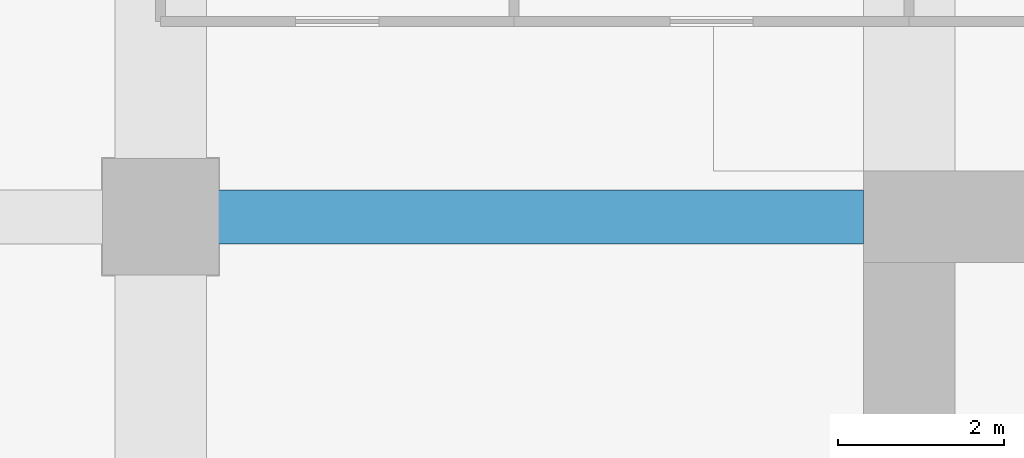
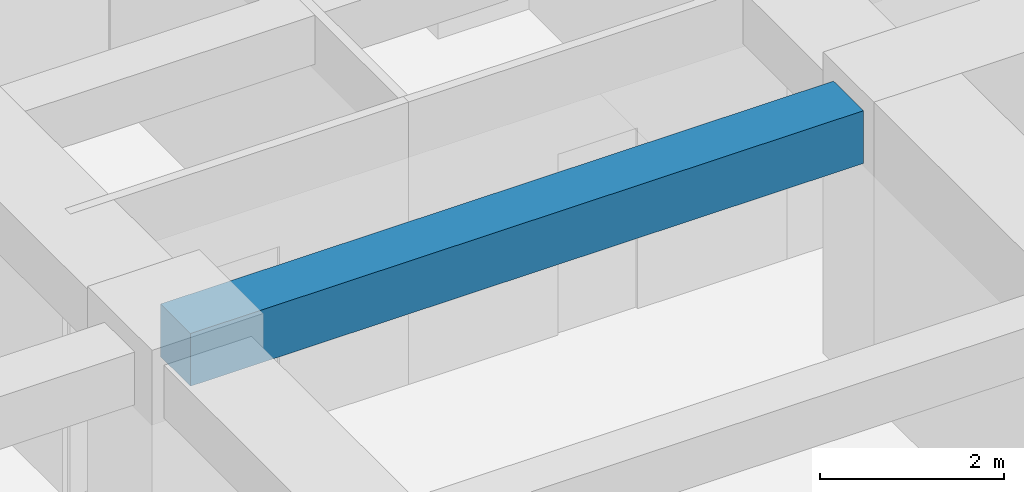
# One storey, part 21 of 33: 1 beam.
"""IFC4 building model written with IfcOpenShell, lengths in metres."""

from ifc_helpers import new_model, si_unit, direction, frame, origin, origin_2d, place, context, subcontext, project, spatial, rectangle, extrude, material, material_profile, profile_set, type_object, element, save


model = new_model("IFC4")

# Units and contexts
model_context = context("Model", 3, precision=1e-05, world=origin(), true_north=direction((0.0, 1.0)))
body_context = subcontext(model_context, "Body", "Model", "MODEL_VIEW")
ifc_project = project(units=[si_unit("LENGTHUNIT", "METRE"), si_unit("AREAUNIT", "SQUARE_METRE"), si_unit("VOLUMEUNIT", "CUBIC_METRE"), si_unit("PLANEANGLEUNIT", "RADIAN"), si_unit("MASSUNIT", "GRAM", prefix="KILO")], contexts=[model_context])

# Site, building, storey
site_placement = place(None, origin())
site = spatial("IfcSite", under=ifc_project, at=site_placement, CompositionType="ELEMENT")
building_placement = place(site_placement, origin())
building = spatial("IfcBuilding", under=site, at=building_placement, Name="Zorevar Civic Tower", CompositionType="ELEMENT")
storey_placement = place(building_placement, frame((0.0, 0.0, 206.199951171875)))
storey = spatial("IfcBuildingStorey", under=building, at=storey_placement, Name="L50", CompositionType="ELEMENT", Elevation=206.199951171875)

# Beam
ifc_material = material(Name="Concrete C50/60", Category="concrete")
ifc_material_profile = material_profile(ifc_material, rectangle(XDim=0.64990234375, YDim=0.699951171875, at=origin_2d()), Name="RC 650x700")
ifc_profile_set = profile_set([ifc_material_profile], Name="Concrete C50/60")
beam_type = type_object("IfcBeamType", Name="Beam RC 650x700", PredefinedType="BEAM", material=ifc_profile_set)
beam_placement = place(storey_placement, frame((9.0, 36.0, 3.400146484375), z_axis=(1.0, 0.0, 0.0), x_axis=(0.0, 1.0, 0.0)))
element("IfcBeam", 1, at=beam_placement, inside=storey, type_object=beam_type, Name="Girder L51", PredefinedType="BEAM", context=body_context, shape_type="SweptSolid", body=[
    extrude(rectangle(XDim=0.64990234375, YDim=0.699951171875, at=origin_2d()), origin(), (0.0, 0.0, 1.0), 8.449951171875),
])

save(model, "model.ifc")
